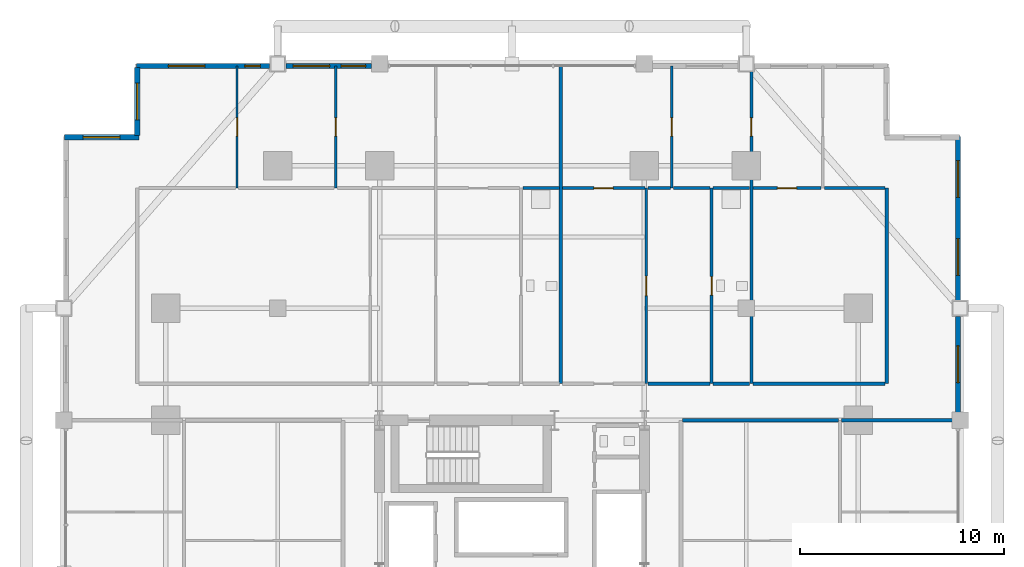
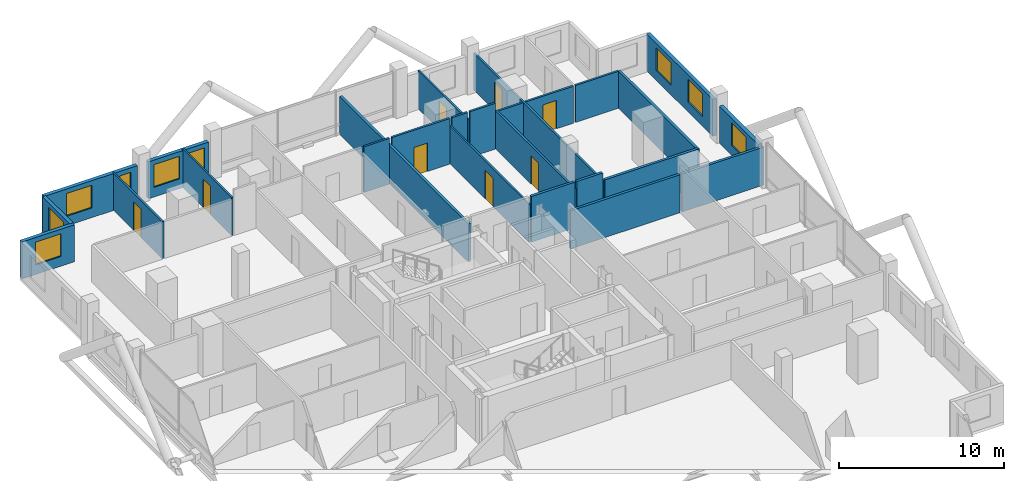
# One storey, part 24 of 27: 26 walls, 9 windows, 8 doors, 17 openings.
"""IFC4 building model written with IfcOpenShell, lengths in metres."""

import ifcopenshell
import ifcopenshell.guid

model = None  # the IFC model being written
_history = None  # IfcOwnerHistory: only IFC2X3 demands one
_inside = {}  # id of a spatial element -> (the spatial element, [elements in it])
_under = {}  # id of a project, library or spatial element -> (it, [spatial elements below it])
_declared = {}  # id of a project -> (the project, [libraries it declares])
_typed = {}  # id of a type object -> (the type object, [elements of that type])
_made_of = {}  # id of a material, layer set ... -> (it, [elements and type objects made of it])


def new_model(schema):
    """Start an empty IFC model of exactly this schema.

    Asked for "IFC4X3", IfcOpenShell would pick the latest addendum, in which some entities
    have other attributes; the version numbers below select the first issue.
    IFC2X3 requires an IfcOwnerHistory on every rooted entity: one is made here for all.
    """
    global model, _history
    if schema == "IFC4X3":
        model = ifcopenshell.file(schema_version=(4, 3, 0, 0))
    else:
        model = ifcopenshell.file(schema=schema)
    _inside.clear()
    _under.clear()
    _declared.clear()
    _typed.clear()
    _made_of.clear()
    _history = None
    if model.schema == "IFC2X3":
        org = make("IfcOrganization", Name="unknown")
        user = make(
            "IfcPersonAndOrganization",
            ThePerson=make("IfcPerson", FamilyName="unknown"),
            TheOrganization=org,
        )
        app = make(
            "IfcApplication",
            ApplicationDeveloper=org,
            Version="unknown",
            ApplicationFullName="unknown",
            ApplicationIdentifier="unknown",
        )
        _history = make(
            "IfcOwnerHistory",
            OwningUser=user,
            OwningApplication=app,
            ChangeAction="ADDED",
            CreationDate=0,
        )
    return model


def make(cls, **values):
    """One entity of the class cls with the attributes given. An attribute that is None is left unset."""
    return model.create_entity(
        cls, **{name: value for name, value in values.items() if value is not None}
    )


def rooted(cls, **values):
    """An entity with a GlobalId (a new one), such as an element, a storey or a relation."""
    return make(cls, GlobalId=ifcopenshell.guid.new(), OwnerHistory=_history, **values)


def si_unit(unit_type, name, prefix=None):
    """IfcSIUnit, for example si_unit("LENGTHUNIT", "METRE", prefix="MILLI")."""
    return make("IfcSIUnit", UnitType=unit_type, Prefix=prefix, Name=name)


def assignment(units):
    """IfcUnitAssignment: the units of a project."""
    return None if units is None else make("IfcUnitAssignment", Units=units)


def point(xyz):
    """IfcCartesianPoint."""
    return None if xyz is None else make("IfcCartesianPoint", Coordinates=xyz)


def direction(xyz):
    """IfcDirection."""
    return None if xyz is None else make("IfcDirection", DirectionRatios=xyz)


def frame(location, z_axis=None, x_axis=None):
    """IfcAxis2Placement3D, a coordinate frame: its origin and axes. An axis left out is left unset."""
    return make(
        "IfcAxis2Placement3D",
        Location=point(location),
        Axis=direction(z_axis),
        RefDirection=direction(x_axis),
    )


def frame_2d(location, x_axis=None):
    """IfcAxis2Placement2D, a coordinate frame in the plane: its origin and x axis."""
    return make(
        "IfcAxis2Placement2D", Location=point(location), RefDirection=direction(x_axis)
    )


def origin():
    """The frame at (0, 0, 0) with its axes left unset."""
    return frame((0.0, 0.0, 0.0))


def place(relative_to, where):
    """IfcLocalPlacement: puts the frame where relative to a parent placement (None: the world)."""
    return make(
        "IfcLocalPlacement", PlacementRelTo=relative_to, RelativePlacement=where
    )


def context(
    kind, dimensions, precision=None, world=None, true_north=None, identifier=None
):
    """IfcGeometricRepresentationContext, for example the 3D "Model" context."""
    return make(
        "IfcGeometricRepresentationContext",
        ContextIdentifier=identifier,
        ContextType=kind,
        CoordinateSpaceDimension=dimensions,
        Precision=precision,
        WorldCoordinateSystem=world,
        TrueNorth=true_north,
    )


def subcontext(parent, identifier, kind, view, scale=None):
    """IfcGeometricRepresentationSubContext, for example "Body" below "Model"."""
    return make(
        "IfcGeometricRepresentationSubContext",
        ContextIdentifier=identifier,
        ContextType=kind,
        ParentContext=parent,
        TargetScale=scale,
        TargetView=view,
    )


def project(units=None, contexts=None):
    """IfcProject with its units and contexts."""
    return rooted(
        "IfcProject",
        Name="project",
        RepresentationContexts=contexts,
        UnitsInContext=assignment(units),
    )


def spatial(cls, under=None, at=None, **own):
    """A site, building, storey or space (cls), placed at a placement, below another one or the project."""
    s = rooted(cls, ObjectPlacement=at, **own)
    if under is not None:
        _under.setdefault(under.id(), (under, []))[1].append(s)
    return s


def profile(cls, at=None, kind="AREA", **sizes):
    """A parametric profile (cls). Its sizes go by their IFC names, for example OverallWidth=200.0."""
    return make(cls, ProfileType=kind, Position=at, **sizes)


def rectangle(**sizes):
    """IfcRectangleProfileDef."""
    return profile("IfcRectangleProfileDef", **sizes)


def extrude(swept, where, along, depth):
    """IfcExtrudedAreaSolid: the profile swept, set in the frame where, extruded along a direction by depth."""
    return make(
        "IfcExtrudedAreaSolid",
        SweptArea=swept,
        Position=where,
        ExtrudedDirection=direction(along),
        Depth=depth,
    )


def shape(context_of_items, identifier, shape_type, items):
    """IfcShapeRepresentation: the items that make up one representation, for example the "Body"."""
    return make(
        "IfcShapeRepresentation",
        ContextOfItems=context_of_items,
        RepresentationIdentifier=identifier,
        RepresentationType=shape_type,
        Items=items,
    )


def material(Name=None, Category=None):
    """IfcMaterial."""
    return make("IfcMaterial", Name=Name, Category=Category)


def layer(
    of_material, thickness, ventilated=None, Name=None, Category=None, Priority=None
):
    """IfcMaterialLayer: one layer of a wall or slab, of a material (None: an air gap)."""
    return make(
        "IfcMaterialLayer",
        Material=of_material,
        LayerThickness=thickness,
        IsVentilated=ventilated,
        Name=Name,
        Category=Category,
        Priority=Priority,
    )


def layer_set(layers, Name=None):
    """IfcMaterialLayerSet."""
    return make("IfcMaterialLayerSet", MaterialLayers=layers, LayerSetName=Name)


def made_of(thing, what):
    """Note that an element or type object is made of a material, layer set ...; save() writes the relation."""
    if what is not None:
        _made_of.setdefault(what.id(), (what, []))[1].append(thing)
    return thing


def type_object(cls, material=None, **own):
    """A type object (cls), such as IfcWallType, which elements share."""
    return made_of(rooted(cls, **own), material)


def element(
    cls,
    number,
    at=None,
    inside=None,
    cuts=None,
    type_object=None,
    material=None,
    context=None,
    identifier="Body",
    shape_type=None,
    held_by="IfcProductDefinitionShape",
    body=None,
    shapes=None,
    **own,
):
    """One element of the class cls, such as IfcWall. Its Tag is "e" and its number.

    at: its placement. inside: the storey or other place that contains it. cuts: it is an
    opening in that element (IfcRelVoidsElement). A single representation is given by context,
    identifier, shape_type and body (its items); several are given by shapes. held_by: the class
    of the entity that holds the representations. save() writes the other relations.
    """
    e = rooted(cls, Tag="e%d" % number, ObjectPlacement=at, **own)
    if body is not None:
        shapes = [shape(context, identifier, shape_type, body)]
    if shapes is not None:
        e.Representation = make(held_by, Representations=shapes)
    if inside is not None:
        _inside.setdefault(inside.id(), (inside, []))[1].append(e)
    if cuts is not None:
        rooted(
            "IfcRelVoidsElement", RelatingBuildingElement=cuts, RelatedOpeningElement=e
        )
    if type_object is not None:
        _typed.setdefault(type_object.id(), (type_object, []))[1].append(e)
    return made_of(e, material)


def fill(opening, filler):
    """IfcRelFillsElement: the door or window that sits in an opening."""
    return rooted(
        "IfcRelFillsElement",
        RelatingOpeningElement=opening,
        RelatedBuildingElement=filler,
    )


def aggregate(whole, parts):
    """IfcRelAggregates: a whole, such as a stair, and the parts it consists of."""
    return rooted("IfcRelAggregates", RelatingObject=whole, RelatedObjects=parts)


def save(model, path):
    """Write the relations noted so far, then the file.

    IfcRelAggregates (storeys below a building ...), IfcRelContainedInSpatialStructure (elements
    in a storey), IfcRelDefinesByType, IfcRelAssociatesMaterial and IfcRelDeclares: one each for
    every whole, place, type object, material and project.
    """
    for whole, parts in _under.values():
        aggregate(whole, parts)
    for where, things in _inside.values():
        rooted(
            "IfcRelContainedInSpatialStructure",
            RelatedElements=things,
            RelatingStructure=where,
        )
    for kind, things in _typed.values():
        rooted("IfcRelDefinesByType", RelatedObjects=things, RelatingType=kind)
    for what, things in _made_of.values():
        rooted("IfcRelAssociatesMaterial", RelatedObjects=things, RelatingMaterial=what)
    for by, libraries in _declared.values():
        rooted("IfcRelDeclares", RelatingContext=by, RelatedDefinitions=libraries)
    model.write(path)


model = new_model("IFC4")

# Units and contexts
model_context = context("Model", 3, precision=1e-05, world=origin(), true_north=direction((0.0, 1.0)))
body_context = subcontext(model_context, "Body", "Model", "MODEL_VIEW")
ifc_project = project(units=[si_unit("LENGTHUNIT", "METRE"), si_unit("AREAUNIT", "SQUARE_METRE"), si_unit("VOLUMEUNIT", "CUBIC_METRE"), si_unit("PLANEANGLEUNIT", "RADIAN"), si_unit("MASSUNIT", "GRAM", prefix="KILO")], contexts=[model_context])

# Site, building, storey
site_placement = place(None, origin())
site = spatial("IfcSite", under=ifc_project, at=site_placement, CompositionType="ELEMENT")
building_placement = place(site_placement, origin())
building = spatial("IfcBuilding", under=site, at=building_placement, Name="Barlavira Tower and Art Museum", CompositionType="ELEMENT")
storey_placement = place(building_placement, frame((0.0, 0.0, 61.199951171875)))
storey = spatial("IfcBuildingStorey", under=building, at=storey_placement, Name="L14", CompositionType="ELEMENT", Elevation=61.199951171875)

# Wall, opening, door
ifc_material_1 = material(Name="Gypsum acoustic stud partition", Category="gypsum")
ifc_layer_1 = layer(ifc_material_1, 0.1201171875, Name="Gypsum acoustic stud partition")
ifc_layer_set_1 = layer_set([ifc_layer_1], Name="Gypsum acoustic stud partition")
wall_type_1 = type_object("IfcWallType", Name="Apartment Internal Acoustic Partition 120", PredefinedType="PARTITIONING", material=ifc_layer_set_1)
wall_1_placement = place(storey_placement, frame((-13.5, 18.89990234375, 0.0), z_axis=(0.0, 0.0, 1.0), x_axis=(0.0, 1.0, 0.0)))
wall_1 = element("IfcWall", 1, at=wall_1_placement, inside=storey, type_object=wall_type_1, Name="L14 Partition Wall 3", PredefinedType="PARTITIONING", context=body_context, shape_type="SweptSolid", body=[
    extrude(rectangle(XDim=6.0, YDim=0.1201171875, at=frame_2d((3.0, 0.0))), origin(), (0.0, 0.0, 1.0), 2.736083984375),
])
opening_1_placement = place(wall_1_placement, frame((2.550048828125, 0.0, 0.0)))
opening_1 = element("IfcOpeningElement", 2, at=opening_1_placement, cuts=wall_1, Name="Opening D-01", PredefinedType="OPENING", context=body_context, shape_type="SweptSolid", body=[
    extrude(rectangle(XDim=0.89990234375, YDim=2.10009765625, at=frame_2d((0.449951171875, 1.050048828125))), frame((0.0, 0.070068359375, 0.0), z_axis=(0.0, -1.0, 0.0), x_axis=(1.0, 0.0, 0.0)), (0.0, 0.0, 1.0), 0.14013671875),
])
ifc_material_2 = material(Name="Engineered coastal hardwood", Category="wood")
door_type_1 = type_object("IfcDoorType", Name="Internal Bedroom Timber Flush Door 900x2100", OperationType="NOTDEFINED", PredefinedType="DOOR", material=ifc_material_2)
door_1_placement = place(opening_1_placement, origin())
door_1 = element("IfcDoor", 3, at=door_1_placement, inside=storey, type_object=door_type_1, Name="Apartment N1 Bedroom 3 Door", OperationType="SINGLE_SWING_LEFT", OverallHeight=2.10009765625, OverallWidth=0.89990234375, PredefinedType="DOOR", context=body_context, shape_type="SweptSolid", body=[
    extrude(rectangle(XDim=0.89990234375, YDim=2.10009765625, at=frame_2d((0.449951171875, 1.050048828125))), frame((0.0, 0.02490234375, 0.0), z_axis=(0.0, -1.0, 0.0), x_axis=(1.0, 0.0, 0.0)), (0.0, 0.0, 1.0), 0.050048828125),
])
fill(opening_1, door_1)

wall_2_placement = place(storey_placement, frame((-8.64990234375, 18.89990234375, 0.0), z_axis=(0.0, 0.0, 1.0), x_axis=(0.0, 1.0, 0.0)))
wall_2 = element("IfcWall", 4, at=wall_2_placement, inside=storey, type_object=wall_type_1, Name="L14 Partition Wall 4", PredefinedType="PARTITIONING", context=body_context, shape_type="SweptSolid", body=[
    extrude(rectangle(XDim=6.0, YDim=0.1201171875, at=frame_2d((3.0, 0.0))), origin(), (0.0, 0.0, 1.0), 2.816162109375),
])
opening_2_placement = place(wall_2_placement, frame((2.550048828125, 0.0, 0.0)))
opening_2 = element("IfcOpeningElement", 5, at=opening_2_placement, cuts=wall_2, Name="Opening D-01", PredefinedType="OPENING", context=body_context, shape_type="SweptSolid", body=[
    extrude(rectangle(XDim=0.89990234375, YDim=2.10009765625, at=frame_2d((0.449951171875, 1.050048828125))), frame((0.0, 0.070068359375, 0.0), z_axis=(0.0, -1.0, 0.0), x_axis=(1.0, 0.0, 0.0)), (0.0, 0.0, 1.0), 0.14013671875),
])
door_2_placement = place(opening_2_placement, origin())
door_2 = element("IfcDoor", 6, at=door_2_placement, inside=storey, type_object=door_type_1, Name="Apartment N1 Bedroom 2 Door", OperationType="SINGLE_SWING_RIGHT", OverallHeight=2.10009765625, OverallWidth=0.89990234375, PredefinedType="DOOR", context=body_context, shape_type="SweptSolid", body=[
    extrude(rectangle(XDim=0.89990234375, YDim=2.10009765625, at=frame_2d((0.449951171875, 1.050048828125))), frame((0.0, 0.02490234375, 0.0), z_axis=(0.0, -1.0, 0.0), x_axis=(1.0, 0.0, 0.0)), (0.0, 0.0, 1.0), 0.050048828125),
])
fill(opening_2, door_2)

wall_3_placement = place(storey_placement, frame((6.60009765625, 9.300048828125, 0.0), z_axis=(0.0, 0.0, 1.0), x_axis=(0.0, 1.0, 0.0)))
wall_3 = element("IfcWall", 7, at=wall_3_placement, inside=storey, type_object=wall_type_1, Name="L14 Partition Wall 12", PredefinedType="PARTITIONING", context=body_context, shape_type="SweptSolid", body=[
    extrude(rectangle(XDim=9.599853515625, YDim=0.1201171875, at=frame_2d((4.7998046875, 0.0))), origin(), (0.0, 0.0, 1.0), 2.816162109375),
])
opening_3_placement = place(wall_3_placement, frame((4.324951171875, 0.0, 0.0)))
opening_3 = element("IfcOpeningElement", 8, at=opening_3_placement, cuts=wall_3, Name="Opening D-02", PredefinedType="OPENING", context=body_context, shape_type="SweptSolid", body=[
    extrude(rectangle(XDim=0.949951171875, YDim=2.10009765625, at=frame_2d((0.47509765625, 1.050048828125))), frame((0.0, 0.070068359375, 0.0), z_axis=(0.0, -1.0, 0.0), x_axis=(1.0, 0.0, 0.0)), (0.0, 0.0, 1.0), 0.14013671875),
])
door_type_2 = type_object("IfcDoorType", Name="Living and Salon Glazed-Leaf Door 950x2100", OperationType="NOTDEFINED", PredefinedType="DOOR", material=ifc_material_2)
door_3_placement = place(opening_3_placement, origin())
door_3 = element("IfcDoor", 9, at=door_3_placement, inside=storey, type_object=door_type_2, Name="Apartment N2 Kitchen Door", OperationType="SINGLE_SWING_LEFT", OverallHeight=2.10009765625, OverallWidth=0.949951171875, PredefinedType="DOOR", context=body_context, shape_type="SweptSolid", body=[
    extrude(rectangle(XDim=0.949951171875, YDim=2.10009765625, at=frame_2d((0.47509765625, 1.050048828125))), frame((0.0, 0.02490234375, 0.0), z_axis=(0.0, -1.0, 0.0), x_axis=(1.0, 0.0, 0.0)), (0.0, 0.0, 1.0), 0.050048828125),
])
fill(opening_3, door_3)

wall_4_placement = place(storey_placement, frame((7.85009765625, 18.89990234375, 0.0), z_axis=(0.0, 0.0, 1.0), x_axis=(0.0, 1.0, 0.0)))
wall_4 = element("IfcWall", 10, at=wall_4_placement, inside=storey, type_object=wall_type_1, Name="L14 Partition Wall 13", PredefinedType="PARTITIONING", context=body_context, shape_type="SweptSolid", body=[
    extrude(rectangle(XDim=6.0, YDim=0.1201171875, at=frame_2d((3.0, 0.0))), origin(), (0.0, 0.0, 1.0), 2.816162109375),
])
opening_4_placement = place(wall_4_placement, frame((2.550048828125, 0.0, 0.0)))
opening_4 = element("IfcOpeningElement", 11, at=opening_4_placement, cuts=wall_4, Name="Opening D-01", PredefinedType="OPENING", context=body_context, shape_type="SweptSolid", body=[
    extrude(rectangle(XDim=0.89990234375, YDim=2.10009765625, at=frame_2d((0.449951171875, 1.050048828125))), frame((0.0, 0.070068359375, 0.0), z_axis=(0.0, -1.0, 0.0), x_axis=(1.0, 0.0, 0.0)), (0.0, 0.0, 1.0), 0.14013671875),
])
door_4_placement = place(opening_4_placement, origin())
door_4 = element("IfcDoor", 12, at=door_4_placement, inside=storey, type_object=door_type_1, Name="Apartment N2 Bedroom 1 Door", OperationType="SINGLE_SWING_LEFT", OverallHeight=2.10009765625, OverallWidth=0.89990234375, PredefinedType="DOOR", context=body_context, shape_type="SweptSolid", body=[
    extrude(rectangle(XDim=0.89990234375, YDim=2.10009765625, at=frame_2d((0.449951171875, 1.050048828125))), frame((0.0, 0.02490234375, 0.0), z_axis=(0.0, -1.0, 0.0), x_axis=(1.0, 0.0, 0.0)), (0.0, 0.0, 1.0), 0.050048828125),
])
fill(opening_4, door_4)

# Walls
ifc_layer_2 = layer(ifc_material_1, 0.179931640625, Name="Gypsum acoustic stud partition")
ifc_layer_set_2 = layer_set([ifc_layer_2], Name="Gypsum acoustic stud partition")
wall_type_2 = type_object("IfcWallType", Name="Inter-Tenancy Party Partition Wall 180", PredefinedType="PARTITIONING", material=ifc_layer_set_2)
wall_5_placement = place(storey_placement, frame((2.39990234375, 9.300048828125, 0.0), z_axis=(0.0, 0.0, 1.0), x_axis=(0.0, 1.0, 0.0)))
element("IfcWall", 13, at=wall_5_placement, inside=storey, type_object=wall_type_2, Name="L14 Partition Wall 10", PredefinedType="PARTITIONING", context=body_context, shape_type="SweptSolid", body=[
    extrude(rectangle(XDim=15.599853515625, YDim=0.179931640625, at=frame_2d((7.7998046875, 0.0))), origin(), (0.0, 0.0, 1.0), 2.816162109375),
])
wall_6_placement = place(storey_placement, frame((18.39990234375, 9.300048828125, 0.0), z_axis=(0.0, 0.0, 1.0), x_axis=(0.0, 1.0, 0.0)))
element("IfcWall", 14, at=wall_6_placement, inside=storey, type_object=wall_type_2, Name="L14 Partition Wall 20", PredefinedType="PARTITIONING", context=body_context, shape_type="SweptSolid", body=[
    extrude(rectangle(XDim=9.599853515625, YDim=0.179931640625, at=frame_2d((4.7998046875, 0.0))), origin(), (0.0, 0.0, 1.0), 2.736083984375),
])
wall_7_placement = place(storey_placement, frame((8.3798828125, 7.5, 0.0), z_axis=(0.0, 0.0, 1.0), x_axis=(1.0, 0.0, 0.0)))
element("IfcWall", 15, at=wall_7_placement, inside=storey, type_object=wall_type_2, Name="L14 Partition Wall 42", PredefinedType="PARTITIONING", context=body_context, shape_type="SweptSolid", body=[
    extrude(rectangle(XDim=7.64013671875, YDim=0.179931640625, at=frame_2d((3.820068359375, 0.0))), origin(), (0.0, 0.0, 1.0), 2.816162109375),
])
wall_8_placement = place(storey_placement, frame((16.179931640625, 7.5, 0.0), z_axis=(0.0, 0.0, 1.0), x_axis=(1.0, 0.0, 0.0)))
element("IfcWall", 16, at=wall_8_placement, inside=storey, type_object=wall_type_2, Name="L14 Partition Wall 43", PredefinedType="PARTITIONING", context=body_context, shape_type="SweptSolid", body=[
    extrude(rectangle(XDim=5.719970703125, YDim=0.179931640625, at=frame_2d((2.85986328125, 0.0))), origin(), (0.0, 0.0, 1.0), 2.816162109375),
])
wall_9_placement = place(storey_placement, frame((6.679931640625, 9.300048828125, 0.0), z_axis=(0.0, 0.0, 1.0), x_axis=(1.0, 0.0, 0.0)))
element("IfcWall", 17, at=wall_9_placement, inside=storey, type_object=wall_type_2, Name="L14 Partition Wall 49", PredefinedType="PARTITIONING", context=body_context, shape_type="SweptSolid", body=[
    extrude(rectangle(XDim=3.0400390625, YDim=0.179931640625, at=frame_2d((1.52001953125, 0.0))), origin(), (0.0, 0.0, 1.0), 3.380126953125),
])
wall_10_placement = place(storey_placement, frame((9.8798828125, 9.300048828125, 0.0), z_axis=(0.0, 0.0, 1.0), x_axis=(1.0, 0.0, 0.0)))
element("IfcWall", 18, at=wall_10_placement, inside=storey, type_object=wall_type_2, Name="L14 Partition Wall 50", PredefinedType="PARTITIONING", context=body_context, shape_type="SweptSolid", body=[
    extrude(rectangle(XDim=1.7900390625, YDim=0.179931640625, at=frame_2d((0.89501953125, 0.0))), origin(), (0.0, 0.0, 1.0), 3.380126953125),
])
wall_11_placement = place(storey_placement, frame((11.830078125, 9.300048828125, 0.0), z_axis=(0.0, 0.0, 1.0), x_axis=(1.0, 0.0, 0.0)))
element("IfcWall", 19, at=wall_11_placement, inside=storey, type_object=wall_type_2, Name="L14 Partition Wall 51", PredefinedType="PARTITIONING", context=body_context, shape_type="SweptSolid", body=[
    extrude(rectangle(XDim=6.489990234375, YDim=0.179931640625, at=frame_2d((3.2451171875, 0.0))), origin(), (0.0, 0.0, 1.0), 2.816162109375),
])

# Wall, opening, door
ifc_layer_3 = layer(ifc_material_1, 0.139892578125, Name="Gypsum acoustic stud partition")
ifc_layer_set_3 = layer_set([ifc_layer_3], Name="Gypsum acoustic stud partition")
wall_type_3 = type_object("IfcWallType", Name="Moisture-Resistant Bathroom Partition 140", PredefinedType="PARTITIONING", material=ifc_layer_set_3)
wall_12_placement = place(storey_placement, frame((9.800048828125, 9.300048828125, 0.0), z_axis=(0.0, 0.0, 1.0), x_axis=(0.0, 1.0, 0.0)))
wall_12 = element("IfcWall", 20, at=wall_12_placement, inside=storey, type_object=wall_type_3, Name="L14 Partition Wall 15", PredefinedType="PARTITIONING", context=body_context, shape_type="SweptSolid", body=[
    extrude(rectangle(XDim=9.599853515625, YDim=0.139892578125, at=frame_2d((4.7998046875, 0.0))), origin(), (0.0, 0.0, 1.0), 2.816162109375),
])
opening_5_placement = place(wall_12_placement, frame((4.35009765625, 0.0, 0.0)))
opening_5 = element("IfcOpeningElement", 21, at=opening_5_placement, cuts=wall_12, Name="Opening D-WC", PredefinedType="OPENING", context=body_context, shape_type="SweptSolid", body=[
    extrude(rectangle(XDim=0.89990234375, YDim=2.10009765625, at=frame_2d((0.449951171875, 1.050048828125))), frame((0.0, 0.080078125, 0.0), z_axis=(0.0, -1.0, 0.0), x_axis=(1.0, 0.0, 0.0)), (0.0, 0.0, 1.0), 0.159912109375),
])
door_type_3 = type_object("IfcDoorType", Name="Accessible Bathroom Flush Door 900x2100", OperationType="NOTDEFINED", PredefinedType="DOOR", material=ifc_material_2)
door_5_placement = place(opening_5_placement, origin())
door_5 = element("IfcDoor", 22, at=door_5_placement, inside=storey, type_object=door_type_3, Name="Apartment N2 Hall Bathroom Door", OperationType="SINGLE_SWING_RIGHT", OverallHeight=2.10009765625, OverallWidth=0.89990234375, PredefinedType="DOOR", context=body_context, shape_type="SweptSolid", body=[
    extrude(rectangle(XDim=0.89990234375, YDim=2.10009765625, at=frame_2d((0.449951171875, 1.050048828125))), frame((0.0, 0.02490234375, 0.0), z_axis=(0.0, -1.0, 0.0), x_axis=(1.0, 0.0, 0.0)), (0.0, 0.0, 1.0), 0.050048828125),
])
fill(opening_5, door_5)

wall_13_placement = place(storey_placement, frame((11.75, 9.300048828125, 0.0), z_axis=(0.0, 0.0, 1.0), x_axis=(0.0, 1.0, 0.0)))
wall_13 = element("IfcWall", 23, at=wall_13_placement, inside=storey, type_object=wall_type_3, Name="L14 Partition Wall 17", PredefinedType="PARTITIONING", context=body_context, shape_type="SweptSolid", body=[
    extrude(rectangle(XDim=15.599853515625, YDim=0.139892578125, at=frame_2d((7.7998046875, 0.0))), origin(), (0.0, 0.0, 1.0), 2.736083984375),
])
opening_6_placement = place(wall_13_placement, frame((12.14990234375, 0.0, 0.0)))
opening_6 = element("IfcOpeningElement", 24, at=opening_6_placement, cuts=wall_13, Name="Opening D-01", PredefinedType="OPENING", context=body_context, shape_type="SweptSolid", body=[
    extrude(rectangle(XDim=0.89990234375, YDim=2.10009765625, at=frame_2d((0.449951171875, 1.050048828125))), frame((0.0, 0.080078125, 0.0), z_axis=(0.0, -1.0, 0.0), x_axis=(1.0, 0.0, 0.0)), (0.0, 0.0, 1.0), 0.159912109375),
])
door_6_placement = place(opening_6_placement, origin())
door_6 = element("IfcDoor", 25, at=door_6_placement, inside=storey, type_object=door_type_1, Name="Apartment N2 Bedroom 2 Door", OperationType="SINGLE_SWING_RIGHT", OverallHeight=2.10009765625, OverallWidth=0.89990234375, PredefinedType="DOOR", context=body_context, shape_type="SweptSolid", body=[
    extrude(rectangle(XDim=0.89990234375, YDim=2.10009765625, at=frame_2d((0.449951171875, 1.050048828125))), frame((0.0, 0.02490234375, 0.0), z_axis=(0.0, -1.0, 0.0), x_axis=(1.0, 0.0, 0.0)), (0.0, 0.0, 1.0), 0.050048828125),
])
fill(opening_6, door_6)

# Wall
wall_14_placement = place(storey_placement, frame((0.530029296875, 18.89990234375, 0.0), z_axis=(0.0, 0.0, 1.0), x_axis=(1.0, 0.0, 0.0)))
element("IfcWall", 26, at=wall_14_placement, inside=storey, type_object=wall_type_3, Name="L14 Partition Wall 57", PredefinedType="PARTITIONING", context=body_context, shape_type="SweptSolid", body=[
    extrude(rectangle(XDim=1.7900390625, YDim=0.139892578125, at=frame_2d((0.89501953125, 0.0))), origin(), (0.0, 0.0, 1.0), 3.380126953125),
])

# Wall, opening, door
wall_15_placement = place(storey_placement, frame((2.47998046875, 18.89990234375, 0.0), z_axis=(0.0, 0.0, 1.0), x_axis=(1.0, 0.0, 0.0)))
wall_15 = element("IfcWall", 27, at=wall_15_placement, inside=storey, type_object=wall_type_3, Name="L14 Partition Wall 58", PredefinedType="PARTITIONING", context=body_context, shape_type="SweptSolid", body=[
    extrude(rectangle(XDim=4.0400390625, YDim=0.139892578125, at=frame_2d((2.02001953125, 0.0))), origin(), (0.0, 0.0, 1.0), 3.380126953125),
])
opening_7_placement = place(wall_15_placement, frame((1.534912109375, 0.0, 0.0)))
opening_7 = element("IfcOpeningElement", 28, at=opening_7_placement, cuts=wall_15, Name="Opening D-02", PredefinedType="OPENING", context=body_context, shape_type="SweptSolid", body=[
    extrude(rectangle(XDim=0.949951171875, YDim=2.10009765625, at=frame_2d((0.47509765625, 1.050048828125))), frame((0.0, 0.080078125, 0.0), z_axis=(0.0, -1.0, 0.0), x_axis=(1.0, 0.0, 0.0)), (0.0, 0.0, 1.0), 0.159912109375),
])
door_7_placement = place(opening_7_placement, origin())
door_7 = element("IfcDoor", 29, at=door_7_placement, inside=storey, type_object=door_type_2, Name="Apartment N2 Living Lounge Door", OperationType="SINGLE_SWING_RIGHT", OverallHeight=2.10009765625, OverallWidth=0.949951171875, PredefinedType="DOOR", context=body_context, shape_type="SweptSolid", body=[
    extrude(rectangle(XDim=0.949951171875, YDim=2.10009765625, at=frame_2d((0.47509765625, 1.050048828125))), frame((0.0, 0.02490234375, 0.0), z_axis=(0.0, -1.0, 0.0), x_axis=(1.0, 0.0, 0.0)), (0.0, 0.0, 1.0), 0.050048828125),
])
fill(opening_7, door_7)

# Walls
wall_16_placement = place(storey_placement, frame((6.679931640625, 18.89990234375, 0.0), z_axis=(0.0, 0.0, 1.0), x_axis=(1.0, 0.0, 0.0)))
element("IfcWall", 30, at=wall_16_placement, inside=storey, type_object=wall_type_3, Name="L14 Partition Wall 59", PredefinedType="PARTITIONING", context=body_context, shape_type="SweptSolid", body=[
    extrude(rectangle(XDim=1.090087890625, YDim=0.139892578125, at=frame_2d((0.544921875, 0.0))), origin(), (0.0, 0.0, 1.0), 3.380126953125),
])
wall_17_placement = place(storey_placement, frame((7.929931640625, 18.89990234375, 0.0), z_axis=(0.0, 0.0, 1.0), x_axis=(1.0, 0.0, 0.0)))
element("IfcWall", 31, at=wall_17_placement, inside=storey, type_object=wall_type_3, Name="L14 Partition Wall 60", PredefinedType="PARTITIONING", context=body_context, shape_type="SweptSolid", body=[
    extrude(rectangle(XDim=1.7900390625, YDim=0.139892578125, at=frame_2d((0.89501953125, 0.0))), origin(), (0.0, 0.0, 1.0), 3.380126953125),
])
wall_18_placement = place(storey_placement, frame((9.8798828125, 18.89990234375, 0.0), z_axis=(0.0, 0.0, 1.0), x_axis=(1.0, 0.0, 0.0)))
element("IfcWall", 32, at=wall_18_placement, inside=storey, type_object=wall_type_3, Name="L14 Partition Wall 61", PredefinedType="PARTITIONING", context=body_context, shape_type="SweptSolid", body=[
    extrude(rectangle(XDim=1.7900390625, YDim=0.139892578125, at=frame_2d((0.89501953125, 0.0))), origin(), (0.0, 0.0, 1.0), 2.736083984375),
])

# Wall, opening, door
wall_19_placement = place(storey_placement, frame((11.830078125, 18.89990234375, 0.0), z_axis=(0.0, 0.0, 1.0), x_axis=(1.0, 0.0, 0.0)))
wall_19 = element("IfcWall", 33, at=wall_19_placement, inside=storey, type_object=wall_type_3, Name="L14 Partition Wall 62", PredefinedType="PARTITIONING", context=body_context, shape_type="SweptSolid", body=[
    extrude(rectangle(XDim=3.33984375, YDim=0.139892578125, at=frame_2d((1.669921875, 0.0))), origin(), (0.0, 0.0, 1.0), 2.736083984375),
])
opening_8_placement = place(wall_19_placement, frame((1.195068359375, 0.0, 0.0)))
opening_8 = element("IfcOpeningElement", 34, at=opening_8_placement, cuts=wall_19, Name="Opening D-02", PredefinedType="OPENING", context=body_context, shape_type="SweptSolid", body=[
    extrude(rectangle(XDim=0.949951171875, YDim=2.10009765625, at=frame_2d((0.47509765625, 1.050048828125))), frame((0.0, 0.080078125, 0.0), z_axis=(0.0, -1.0, 0.0), x_axis=(1.0, 0.0, 0.0)), (0.0, 0.0, 1.0), 0.159912109375),
])
door_8_placement = place(opening_8_placement, origin())
door_8 = element("IfcDoor", 35, at=door_8_placement, inside=storey, type_object=door_type_2, Name="Apartment N2 Dining Salon Door", OperationType="SINGLE_SWING_LEFT", OverallHeight=2.10009765625, OverallWidth=0.949951171875, PredefinedType="DOOR", context=body_context, shape_type="SweptSolid", body=[
    extrude(rectangle(XDim=0.949951171875, YDim=2.10009765625, at=frame_2d((0.47509765625, 1.050048828125))), frame((0.0, 0.02490234375, 0.0), z_axis=(0.0, -1.0, 0.0), x_axis=(1.0, 0.0, 0.0)), (0.0, 0.0, 1.0), 0.050048828125),
])
fill(opening_8, door_8)

# Wall
wall_20_placement = place(storey_placement, frame((15.330078125, 18.89990234375, 0.0), z_axis=(0.0, 0.0, 1.0), x_axis=(1.0, 0.0, 0.0)))
element("IfcWall", 36, at=wall_20_placement, inside=storey, type_object=wall_type_3, Name="L14 Partition Wall 63", PredefinedType="PARTITIONING", context=body_context, shape_type="SweptSolid", body=[
    extrude(rectangle(XDim=2.989990234375, YDim=0.139892578125, at=frame_2d((1.4951171875, 0.0))), origin(), (0.0, 0.0, 1.0), 2.736083984375),
])

# Wall, openings, windows
ifc_material_3 = material(Name="Precast concrete C40", Category="concrete")
ifc_layer_4 = layer(ifc_material_3, 0.25, Name="Precast concrete C40")
ifc_layer_set_4 = layer_set([ifc_layer_4], Name="Precast concrete C40")
wall_type_4 = type_object("IfcWallType", Name="Notched Corner Spandrel Wall 250 Precast Concrete C40", PredefinedType="SOLIDWALL", material=ifc_layer_set_4)
wall_21_placement = place(storey_placement, frame((-6.89501953125, 24.89990234375, 0.0), z_axis=(0.0, 0.0, 1.0), x_axis=(-1.0, 0.0, 0.0)))
wall_21 = element("IfcWall", 37, at=wall_21_placement, inside=storey, type_object=wall_type_4, Name="L14 Coastal Facade Pier Wall CW1-L14-N-4", PredefinedType="SOLIDWALL", context=body_context, shape_type="SweptSolid", body=[
    extrude(rectangle(XDim=4.2099609375, YDim=0.25, at=frame_2d((2.10498046875, 0.0))), origin(), (0.0, 0.0, 1.0), 2.736083984375),
])
opening_9_placement = place(wall_21_placement, frame((0.294921875, 0.0, 0.719970703125)))
opening_9 = element("IfcOpeningElement", 38, at=opening_9_placement, cuts=wall_21, Name="Opening WN-05", PredefinedType="OPENING", context=body_context, shape_type="SweptSolid", body=[
    extrude(rectangle(XDim=1.199951171875, YDim=1.679931640625, at=frame_2d((0.60009765625, 0.83984375))), frame((0.0, 0.135009765625, 0.0), z_axis=(0.0, -1.0, 0.0), x_axis=(1.0, 0.0, 0.0)), (0.0, 0.0, 1.0), 0.27001953125),
])
opening_10_placement = place(wall_21_placement, frame((2.054931640625, 0.0, 0.719970703125)))
opening_10 = element("IfcOpeningElement", 39, at=opening_10_placement, cuts=wall_21, Name="Opening WN-01", PredefinedType="OPENING", context=body_context, shape_type="SweptSolid", body=[
    extrude(rectangle(XDim=1.800048828125, YDim=1.679931640625, at=frame_2d((0.89990234375, 0.83984375))), frame((0.0, 0.135009765625, 0.0), z_axis=(0.0, -1.0, 0.0), x_axis=(1.0, 0.0, 0.0)), (0.0, 0.0, 1.0), 0.27001953125),
])
ifc_material_4 = material(Name="Low-iron coastal laminated glass", Category="glass")
window_type_1 = type_object("IfcWindowType", Name="Recessed Flank Pier Punch Window 1200x1680", PartitioningType="SINGLE_PANEL", PredefinedType="WINDOW", material=ifc_material_4)
window_1_placement = place(opening_9_placement, origin())
window_1 = element("IfcWindow", 40, at=window_1_placement, inside=storey, type_object=window_type_1, Name="L14 Punched Facade Window EWP-CW1-L14-N-4-1", OverallHeight=1.679931640625, OverallWidth=1.199951171875, PartitioningType="SINGLE_PANEL", PredefinedType="WINDOW", context=body_context, shape_type="SweptSolid", body=[
    extrude(rectangle(XDim=1.199951171875, YDim=1.679931640625, at=frame_2d((0.60009765625, 0.83984375))), frame((0.0, 0.030029296875, 0.0), z_axis=(0.0, -1.0, 0.0), x_axis=(1.0, 0.0, 0.0)), (0.0, 0.0, 1.0), 0.06005859375),
])
fill(opening_9, window_1)
window_type_2 = type_object("IfcWindowType", Name="Recessed Notch Corner Punch Window 1800x1680", PartitioningType="SINGLE_PANEL", PredefinedType="WINDOW", material=ifc_material_4)
window_2_placement = place(opening_10_placement, origin())
window_2 = element("IfcWindow", 41, at=window_2_placement, inside=storey, type_object=window_type_2, Name="L14 Punched Facade Window EWP-CW1-L14-N-4-2", OverallHeight=1.679931640625, OverallWidth=1.800048828125, PartitioningType="SINGLE_PANEL", PredefinedType="WINDOW", context=body_context, shape_type="SweptSolid", body=[
    extrude(rectangle(XDim=1.800048828125, YDim=1.679931640625, at=frame_2d((0.89990234375, 0.83984375))), frame((0.0, 0.030029296875, 0.0), z_axis=(0.0, -1.0, 0.0), x_axis=(1.0, 0.0, 0.0)), (0.0, 0.0, 1.0), 0.06005859375),
])
fill(opening_10, window_2)

wall_22_placement = place(storey_placement, frame((-11.89501953125, 24.89990234375, 0.0), z_axis=(0.0, 0.0, 1.0), x_axis=(-1.0, 0.0, 0.0)))
wall_22 = element("IfcWall", 42, at=wall_22_placement, inside=storey, type_object=wall_type_4, Name="L14 Coastal Facade Pier Wall CW1-L14-N-5", PredefinedType="SOLIDWALL", context=body_context, shape_type="SweptSolid", body=[
    extrude(rectangle(XDim=6.530029296875, YDim=0.25, at=frame_2d((3.26513671875, 0.0))), origin(), (0.0, 0.0, 1.0), 2.736083984375),
])
opening_11_placement = place(wall_22_placement, frame((0.455078125, 0.0, 0.719970703125)))
opening_11 = element("IfcOpeningElement", 43, at=opening_11_placement, cuts=wall_22, Name="Opening WN-06", PredefinedType="OPENING", context=body_context, shape_type="SweptSolid", body=[
    extrude(rectangle(XDim=0.760009765625, YDim=1.679931640625, at=frame_2d((0.3798828125, 0.83984375))), frame((0.0, 0.135009765625, 0.0), z_axis=(0.0, -1.0, 0.0), x_axis=(1.0, 0.0, 0.0)), (0.0, 0.0, 1.0), 0.27001953125),
])
opening_12_placement = place(wall_22_placement, frame((3.177978515625, 0.0, 0.719970703125)))
opening_12 = element("IfcOpeningElement", 44, at=opening_12_placement, cuts=wall_22, Name="Opening WN-01", PredefinedType="OPENING", context=body_context, shape_type="SweptSolid", body=[
    extrude(rectangle(XDim=1.800048828125, YDim=1.679931640625, at=frame_2d((0.89990234375, 0.83984375))), frame((0.0, 0.135009765625, 0.0), z_axis=(0.0, -1.0, 0.0), x_axis=(1.0, 0.0, 0.0)), (0.0, 0.0, 1.0), 0.27001953125),
])
window_type_3 = type_object("IfcWindowType", Name="Recessed Narrow Pier Window 760x1680", PartitioningType="SINGLE_PANEL", PredefinedType="WINDOW", material=ifc_material_4)
window_3_placement = place(opening_11_placement, origin())
window_3 = element("IfcWindow", 45, at=window_3_placement, inside=storey, type_object=window_type_3, Name="L14 Punched Facade Window EWP-CW1-L14-N-5-1", OverallHeight=1.679931640625, OverallWidth=0.760009765625, PartitioningType="SINGLE_PANEL", PredefinedType="WINDOW", context=body_context, shape_type="SweptSolid", body=[
    extrude(rectangle(XDim=0.760009765625, YDim=1.679931640625, at=frame_2d((0.3798828125, 0.83984375))), frame((0.0, 0.030029296875, 0.0), z_axis=(0.0, -1.0, 0.0), x_axis=(1.0, 0.0, 0.0)), (0.0, 0.0, 1.0), 0.06005859375),
])
fill(opening_11, window_3)
window_4_placement = place(opening_12_placement, origin())
window_4 = element("IfcWindow", 46, at=window_4_placement, inside=storey, type_object=window_type_2, Name="L14 Punched Facade Window EWP-CW1-L14-N-5-2", OverallHeight=1.679931640625, OverallWidth=1.800048828125, PartitioningType="SINGLE_PANEL", PredefinedType="WINDOW", context=body_context, shape_type="SweptSolid", body=[
    extrude(rectangle(XDim=1.800048828125, YDim=1.679931640625, at=frame_2d((0.89990234375, 0.83984375))), frame((0.0, 0.030029296875, 0.0), z_axis=(0.0, -1.0, 0.0), x_axis=(1.0, 0.0, 0.0)), (0.0, 0.0, 1.0), 0.06005859375),
])
fill(opening_12, window_4)

# Wall, opening, window
wall_23_placement = place(storey_placement, frame((21.89990234375, 7.89501953125, 0.0), z_axis=(0.0, 0.0, 1.0), x_axis=(0.0, 1.0, 0.0)))
wall_23 = element("IfcWall", 47, at=wall_23_placement, inside=storey, type_object=wall_type_4, Name="L14 Coastal Facade Pier Wall CW1-L14-E-4", PredefinedType="SOLIDWALL", context=body_context, shape_type="SweptSolid", body=[
    extrude(rectangle(XDim=4.7099609375, YDim=0.25, at=frame_2d((2.35498046875, 0.0))), origin(), (0.0, 0.0, 1.0), 2.736083984375),
])
opening_13_placement = place(wall_23_placement, frame((1.455078125, 0.0, 0.719970703125)))
opening_13 = element("IfcOpeningElement", 48, at=opening_13_placement, cuts=wall_23, Name="Opening WN-01", PredefinedType="OPENING", context=body_context, shape_type="SweptSolid", body=[
    extrude(rectangle(XDim=1.800048828125, YDim=1.679931640625, at=frame_2d((0.89990234375, 0.83984375))), frame((0.0, 0.135009765625, 0.0), z_axis=(0.0, -1.0, 0.0), x_axis=(1.0, 0.0, 0.0)), (0.0, 0.0, 1.0), 0.27001953125),
])
window_5_placement = place(opening_13_placement, origin())
window_5 = element("IfcWindow", 49, at=window_5_placement, inside=storey, type_object=window_type_2, Name="L14 Punched Facade Window EWP-CW1-L14-E-4-1", OverallHeight=1.679931640625, OverallWidth=1.800048828125, PartitioningType="SINGLE_PANEL", PredefinedType="WINDOW", context=body_context, shape_type="SweptSolid", body=[
    extrude(rectangle(XDim=1.800048828125, YDim=1.679931640625, at=frame_2d((0.89990234375, 0.83984375))), frame((0.0, 0.030029296875, 0.0), z_axis=(0.0, -1.0, 0.0), x_axis=(1.0, 0.0, 0.0)), (0.0, 0.0, 1.0), 0.06005859375),
])
fill(opening_13, window_5)

# Wall, openings, windows
wall_24_placement = place(storey_placement, frame((21.89990234375, 13.39501953125, 0.0), z_axis=(0.0, 0.0, 1.0), x_axis=(0.0, 1.0, 0.0)))
wall_24 = element("IfcWall", 50, at=wall_24_placement, inside=storey, type_object=wall_type_4, Name="L14 Coastal Facade Pier Wall CW1-L14-E-5", PredefinedType="SOLIDWALL", context=body_context, shape_type="SweptSolid", body=[
    extrude(rectangle(XDim=8.030029296875, YDim=0.25, at=frame_2d((4.01513671875, 0.0))), origin(), (0.0, 0.0, 1.0), 2.736083984375),
])
opening_14_placement = place(wall_24_placement, frame((1.220947265625, 0.0, 0.719970703125)))
opening_14 = element("IfcOpeningElement", 51, at=opening_14_placement, cuts=wall_24, Name="Opening WN-01", PredefinedType="OPENING", context=body_context, shape_type="SweptSolid", body=[
    extrude(rectangle(XDim=1.800048828125, YDim=1.679931640625, at=frame_2d((0.89990234375, 0.83984375))), frame((0.0, 0.135009765625, 0.0), z_axis=(0.0, -1.0, 0.0), x_axis=(1.0, 0.0, 0.0)), (0.0, 0.0, 1.0), 0.27001953125),
])
opening_15_placement = place(wall_24_placement, frame((5.053955078125, 0.0, 0.719970703125)))
opening_15 = element("IfcOpeningElement", 52, at=opening_15_placement, cuts=wall_24, Name="Opening WN-01", PredefinedType="OPENING", context=body_context, shape_type="SweptSolid", body=[
    extrude(rectangle(XDim=1.800048828125, YDim=1.679931640625, at=frame_2d((0.89990234375, 0.83984375))), frame((0.0, 0.135009765625, 0.0), z_axis=(0.0, -1.0, 0.0), x_axis=(1.0, 0.0, 0.0)), (0.0, 0.0, 1.0), 0.27001953125),
])
window_6_placement = place(opening_14_placement, origin())
window_6 = element("IfcWindow", 53, at=window_6_placement, inside=storey, type_object=window_type_2, Name="L14 Punched Facade Window EWP-CW1-L14-E-5-1", OverallHeight=1.679931640625, OverallWidth=1.800048828125, PartitioningType="SINGLE_PANEL", PredefinedType="WINDOW", context=body_context, shape_type="SweptSolid", body=[
    extrude(rectangle(XDim=1.800048828125, YDim=1.679931640625, at=frame_2d((0.89990234375, 0.83984375))), frame((0.0, 0.030029296875, 0.0), z_axis=(0.0, -1.0, 0.0), x_axis=(1.0, 0.0, 0.0)), (0.0, 0.0, 1.0), 0.06005859375),
])
fill(opening_14, window_6)
window_7_placement = place(opening_15_placement, origin())
window_7 = element("IfcWindow", 54, at=window_7_placement, inside=storey, type_object=window_type_2, Name="L14 Punched Facade Window EWP-CW1-L14-E-5-2", OverallHeight=1.679931640625, OverallWidth=1.800048828125, PartitioningType="SINGLE_PANEL", PredefinedType="WINDOW", context=body_context, shape_type="SweptSolid", body=[
    extrude(rectangle(XDim=1.800048828125, YDim=1.679931640625, at=frame_2d((0.89990234375, 0.83984375))), frame((0.0, 0.030029296875, 0.0), z_axis=(0.0, -1.0, 0.0), x_axis=(1.0, 0.0, 0.0)), (0.0, 0.0, 1.0), 0.06005859375),
])
fill(opening_15, window_7)

# Wall, opening, window
wall_25_placement = place(storey_placement, frame((-18.39990234375, 24.820068359375, 0.0), z_axis=(0.0, 0.0, 1.0), x_axis=(0.0, -1.0, 0.0)))
wall_25 = element("IfcWall", 55, at=wall_25_placement, inside=storey, type_object=wall_type_4, Name="L14 Notch Corner Wall NW1", PredefinedType="SOLIDWALL", context=body_context, shape_type="SweptSolid", body=[
    extrude(rectangle(XDim=3.340087890625, YDim=0.25, at=frame_2d((1.669921875, 0.0))), origin(), (0.0, 0.0, 1.0), 2.736083984375),
])
opening_16_placement = place(wall_25_placement, frame((0.77001953125, 0.0, 0.719970703125)))
opening_16 = element("IfcOpeningElement", 56, at=opening_16_placement, cuts=wall_25, Name="Opening WN-01", PredefinedType="OPENING", context=body_context, shape_type="SweptSolid", body=[
    extrude(rectangle(XDim=1.800048828125, YDim=1.679931640625, at=frame_2d((0.89990234375, 0.83984375))), frame((0.0, 0.135009765625, 0.0), z_axis=(0.0, -1.0, 0.0), x_axis=(1.0, 0.0, 0.0)), (0.0, 0.0, 1.0), 0.27001953125),
])
window_8_placement = place(opening_16_placement, origin())
window_8 = element("IfcWindow", 57, at=window_8_placement, inside=storey, type_object=window_type_2, Name="L14 Punched Facade Window EW-NTC-L14-NW1-1", OverallHeight=1.679931640625, OverallWidth=1.800048828125, PartitioningType="SINGLE_PANEL", PredefinedType="WINDOW", context=body_context, shape_type="SweptSolid", body=[
    extrude(rectangle(XDim=1.800048828125, YDim=1.679931640625, at=frame_2d((0.89990234375, 0.83984375))), frame((0.0, 0.030029296875, 0.0), z_axis=(0.0, -1.0, 0.0), x_axis=(1.0, 0.0, 0.0)), (0.0, 0.0, 1.0), 0.06005859375),
])
fill(opening_16, window_8)

wall_26_placement = place(storey_placement, frame((-18.320068359375, 21.39990234375, 0.0), z_axis=(0.0, 0.0, 1.0), x_axis=(-1.0, 0.0, 0.0)))
wall_26 = element("IfcWall", 58, at=wall_26_placement, inside=storey, type_object=wall_type_4, Name="L14 Notch Corner Wall NW2", PredefinedType="SOLIDWALL", context=body_context, shape_type="SweptSolid", body=[
    extrude(rectangle(XDim=3.659912109375, YDim=0.25, at=frame_2d((1.830078125, 0.0))), origin(), (0.0, 0.0, 1.0), 2.736083984375),
])
opening_17_placement = place(wall_26_placement, frame((0.929931640625, 0.0, 0.719970703125)))
opening_17 = element("IfcOpeningElement", 59, at=opening_17_placement, cuts=wall_26, Name="Opening WN-01", PredefinedType="OPENING", context=body_context, shape_type="SweptSolid", body=[
    extrude(rectangle(XDim=1.800048828125, YDim=1.679931640625, at=frame_2d((0.89990234375, 0.83984375))), frame((0.0, 0.135009765625, 0.0), z_axis=(0.0, -1.0, 0.0), x_axis=(1.0, 0.0, 0.0)), (0.0, 0.0, 1.0), 0.27001953125),
])
window_9_placement = place(opening_17_placement, origin())
window_9 = element("IfcWindow", 60, at=window_9_placement, inside=storey, type_object=window_type_2, Name="L14 Punched Facade Window EW-NTC-L14-NW2-1", OverallHeight=1.679931640625, OverallWidth=1.800048828125, PartitioningType="SINGLE_PANEL", PredefinedType="WINDOW", context=body_context, shape_type="SweptSolid", body=[
    extrude(rectangle(XDim=1.800048828125, YDim=1.679931640625, at=frame_2d((0.89990234375, 0.83984375))), frame((0.0, 0.030029296875, 0.0), z_axis=(0.0, -1.0, 0.0), x_axis=(1.0, 0.0, 0.0)), (0.0, 0.0, 1.0), 0.06005859375),
])
fill(opening_17, window_9)

save(model, "model.ifc")
